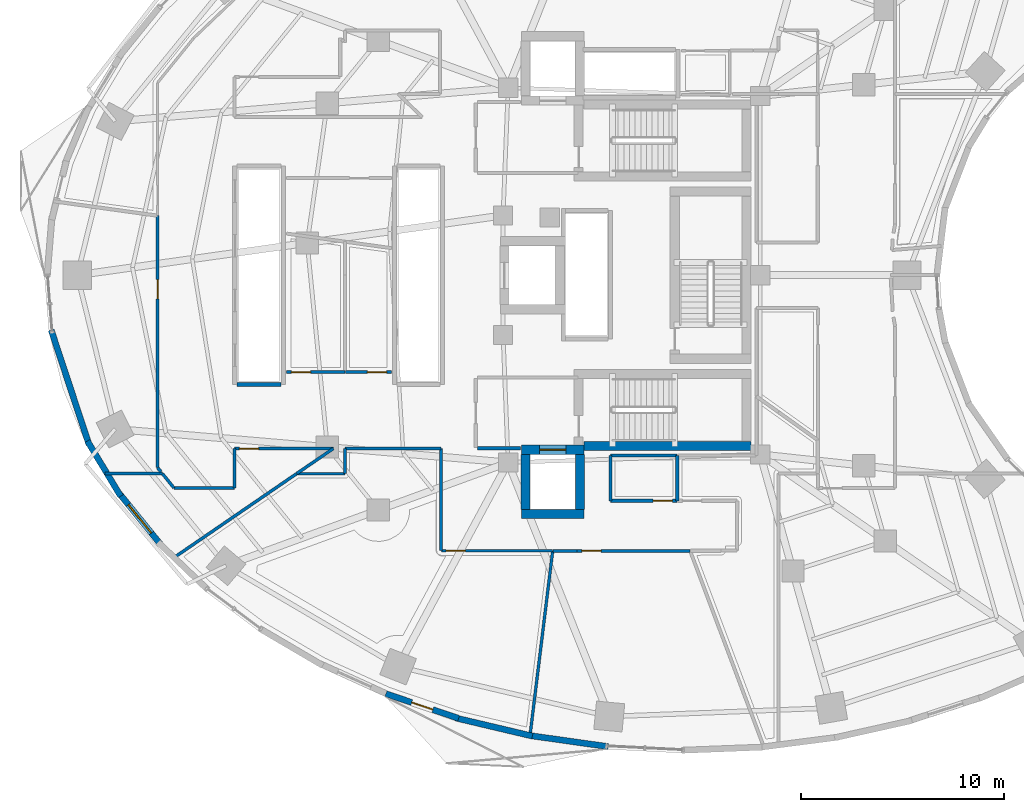
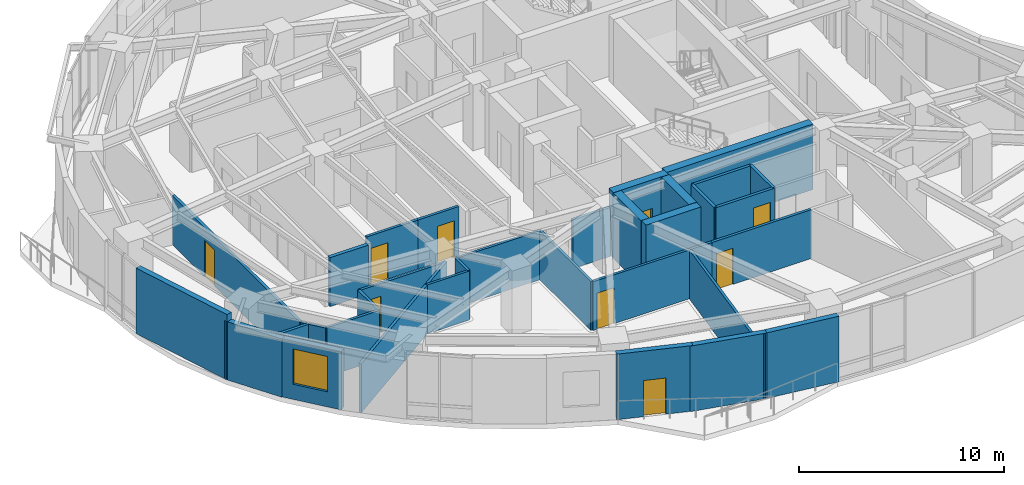
# One storey, part 8 of 16: 36 walls, 9 doors, 1 window, 10 openings.
"""IFC4 building model written with IfcOpenShell, lengths in metres."""

from ifc_helpers import new_model, si_unit, direction, frame, frame_2d, origin, place, context, subcontext, project, spatial, rectangle, extrude, material, layer, layer_set, type_object, element, fill, save


model = new_model("IFC4")

# Units and contexts
model_context = context("Model", 3, precision=1e-05, world=origin(), true_north=direction((0.0, 1.0)))
body_context = subcontext(model_context, "Body", "Model", "MODEL_VIEW")
ifc_project = project(units=[si_unit("LENGTHUNIT", "METRE"), si_unit("AREAUNIT", "SQUARE_METRE"), si_unit("VOLUMEUNIT", "CUBIC_METRE"), si_unit("PLANEANGLEUNIT", "RADIAN"), si_unit("MASSUNIT", "GRAM", prefix="KILO")], contexts=[model_context])

# Site, building, storey
site_placement = place(None, origin())
site = spatial("IfcSite", under=ifc_project, at=site_placement, CompositionType="ELEMENT")
building_placement = place(site_placement, origin())
building = spatial("IfcBuilding", under=site, at=building_placement, Name="Korentha Bioscience Tower", CompositionType="ELEMENT")
storey_placement = place(building_placement, frame((0.0, 0.0, 59.39990234375)))
storey = spatial("IfcBuildingStorey", under=building, at=storey_placement, Name="L13", CompositionType="ELEMENT", Elevation=59.39990234375)

# Wall, opening, door
ifc_material_1 = material(Name="Double-Stud Acoustic Gypsum", Category="gypsum")
ifc_layer_1 = layer(ifc_material_1, 0.14990234375, Name="Double-Stud Acoustic Gypsum")
ifc_layer_set_1 = layer_set([ifc_layer_1], Name="Double-Stud Acoustic Gypsum (IW-L150)")
wall_type_1 = type_object("IfcWallType", Name="Acoustic Laboratory Partition Wall 150", PredefinedType="PARTITIONING", material=ifc_layer_set_1)
wall_1_placement = place(storey_placement, frame((17.048095703125, 22.2099609375, 0.0), z_axis=(0.0, 0.0, 1.0), x_axis=(-1.0, 0.0, 0.0)))
wall_1 = element("IfcWall", 1, at=wall_1_placement, inside=storey, type_object=wall_type_1, Name="L13 Staff Pantry Kitchenette 01 Entrance Wall", PredefinedType="PARTITIONING", context=body_context, shape_type="SweptSolid", body=[
    extrude(rectangle(XDim=2.88818359375, YDim=0.14990234375, at=frame_2d((1.444091796875, 0.0))), origin(), (0.0, 0.0, 1.0), 2.91015625),
])
opening_1_placement = place(wall_1_placement, frame((1.697998046875, 0.0, 0.0)))
opening_1 = element("IfcOpeningElement", 2, at=opening_1_placement, cuts=wall_1, Name="Opening ID-10R", PredefinedType="OPENING", context=body_context, shape_type="SweptSolid", body=[
    extrude(rectangle(XDim=0.949951171875, YDim=2.14990234375, at=frame_2d((0.47509765625, 1.074951171875))), frame((0.0, 0.08984375, 0.0), z_axis=(0.0, -1.0, 0.0), x_axis=(1.0, 0.0, 0.0)), (0.0, 0.0, 1.0), 0.1796875),
])
ifc_material_2 = material(Name="Phenolic Laminate Timber Core", Category="wood")
door_type_1 = type_object("IfcDoorType", Name="Laboratory Single Leaf Door 950x2150 Right", OperationType="SINGLE_SWING_RIGHT", PredefinedType="DOOR", material=ifc_material_2)
door_1_placement = place(opening_1_placement, origin())
door_1 = element("IfcDoor", 3, at=door_1_placement, inside=storey, type_object=door_type_1, Name="L13 Staff Pantry Kitchenette 01 Door", OperationType="SINGLE_SWING_RIGHT", OverallHeight=2.14990234375, OverallWidth=0.949951171875, PredefinedType="DOOR", context=body_context, shape_type="SweptSolid", body=[
    extrude(rectangle(XDim=0.949951171875, YDim=2.14990234375, at=frame_2d((0.47509765625, 1.074951171875))), frame((0.0, 0.02490234375, 0.0), z_axis=(0.0, -1.0, 0.0), x_axis=(1.0, 0.0, 0.0)), (0.0, 0.0, 1.0), 0.050048828125),
])
fill(opening_1, door_1)

wall_2_placement = place(storey_placement, frame((19.340087890625, 22.2099609375, 0.0), z_axis=(0.0, 0.0, 1.0), x_axis=(-1.0, 0.0, 0.0)))
wall_2 = element("IfcWall", 4, at=wall_2_placement, inside=storey, type_object=wall_type_1, Name="L13 Biomechanical Motion Analysis Lab 03 Entrance Wall", PredefinedType="PARTITIONING", context=body_context, shape_type="SweptSolid", body=[
    extrude(rectangle(XDim=2.281982421875, YDim=0.14990234375, at=frame_2d((1.14111328125, 0.0))), origin(), (0.0, 0.0, 1.0), 2.91015625),
])
opening_2_placement = place(wall_2_placement, frame((0.239990234375, 0.0, 0.0)))
opening_2 = element("IfcOpeningElement", 5, at=opening_2_placement, cuts=wall_2, Name="Opening ID-10R", PredefinedType="OPENING", context=body_context, shape_type="SweptSolid", body=[
    extrude(rectangle(XDim=0.949951171875, YDim=2.14990234375, at=frame_2d((0.47509765625, 1.074951171875))), frame((0.0, 0.08984375, 0.0), z_axis=(0.0, -1.0, 0.0), x_axis=(1.0, 0.0, 0.0)), (0.0, 0.0, 1.0), 0.1796875),
])
door_2_placement = place(opening_2_placement, origin())
door_2 = element("IfcDoor", 6, at=door_2_placement, inside=storey, type_object=door_type_1, Name="L13 Biomechanical Motion Analysis Lab 03 Door", OperationType="SINGLE_SWING_RIGHT", OverallHeight=2.14990234375, OverallWidth=0.949951171875, PredefinedType="DOOR", context=body_context, shape_type="SweptSolid", body=[
    extrude(rectangle(XDim=0.949951171875, YDim=2.14990234375, at=frame_2d((0.47509765625, 1.074951171875))), frame((0.0, 0.02490234375, 0.0), z_axis=(0.0, -1.0, 0.0), x_axis=(1.0, 0.0, 0.0)), (0.0, 0.0, 1.0), 0.050048828125),
])
fill(opening_2, door_2)

wall_3_placement = place(storey_placement, frame((11.590087890625, 18.43994140625, 0.0), z_axis=(0.0, 0.0, 1.0), x_axis=(1.0, 0.0, 0.0)))
wall_3 = element("IfcWall", 7, at=wall_3_placement, inside=storey, type_object=wall_type_1, Name="L13 Principal Investigator Office 04 Entrance Wall", PredefinedType="PARTITIONING", context=body_context, shape_type="SweptSolid", body=[
    extrude(rectangle(XDim=4.87841796875, YDim=0.14990234375, at=frame_2d((2.439208984375, 0.0))), origin(), (0.0, 0.0, 1.0), 2.91015625),
])
opening_3_placement = place(wall_3_placement, frame((0.239990234375, 0.0, 0.0)))
opening_3 = element("IfcOpeningElement", 8, at=opening_3_placement, cuts=wall_3, Name="Opening ID-10L", PredefinedType="OPENING", context=body_context, shape_type="SweptSolid", body=[
    extrude(rectangle(XDim=0.949951171875, YDim=2.14990234375, at=frame_2d((0.47509765625, 1.074951171875))), frame((0.0, 0.08984375, 0.0), z_axis=(0.0, -1.0, 0.0), x_axis=(1.0, 0.0, 0.0)), (0.0, 0.0, 1.0), 0.1796875),
])
door_type_2 = type_object("IfcDoorType", Name="Laboratory Single Leaf Door 950x2150 Left", OperationType="SINGLE_SWING_LEFT", PredefinedType="DOOR", material=ifc_material_2)
door_3_placement = place(opening_3_placement, origin())
door_3 = element("IfcDoor", 9, at=door_3_placement, inside=storey, type_object=door_type_2, Name="L13 Principal Investigator Office 04 Door", OperationType="SINGLE_SWING_LEFT", OverallHeight=2.14990234375, OverallWidth=0.949951171875, PredefinedType="DOOR", context=body_context, shape_type="SweptSolid", body=[
    extrude(rectangle(XDim=0.949951171875, YDim=2.14990234375, at=frame_2d((0.47509765625, 1.074951171875))), frame((0.0, 0.02490234375, 0.0), z_axis=(0.0, -1.0, 0.0), x_axis=(1.0, 0.0, 0.0)), (0.0, 0.0, 1.0), 0.050048828125),
])
fill(opening_3, door_3)

wall_4_placement = place(storey_placement, frame((28.5, 13.389892578125, 0.0), z_axis=(0.0, 0.0, 1.0), x_axis=(1.0, 0.0, 0.0)))
wall_4 = element("IfcWall", 10, at=wall_4_placement, inside=storey, type_object=wall_type_1, Name="L13 Peptide Synthesis Wet Lab 06 Entrance Wall", PredefinedType="PARTITIONING", context=body_context, shape_type="SweptSolid", body=[
    extrude(rectangle(XDim=5.587158203125, YDim=0.14990234375, at=frame_2d((2.79345703125, 0.0))), origin(), (0.0, 0.0, 1.0), 2.91015625),
])
opening_4_placement = place(wall_4_placement, frame((0.239990234375, 0.0, 0.0)))
opening_4 = element("IfcOpeningElement", 11, at=opening_4_placement, cuts=wall_4, Name="Opening ID-10L", PredefinedType="OPENING", context=body_context, shape_type="SweptSolid", body=[
    extrude(rectangle(XDim=0.949951171875, YDim=2.14990234375, at=frame_2d((0.47509765625, 1.074951171875))), frame((0.0, 0.08984375, 0.0), z_axis=(0.0, -1.0, 0.0), x_axis=(1.0, 0.0, 0.0)), (0.0, 0.0, 1.0), 0.1796875),
])
door_4_placement = place(opening_4_placement, origin())
door_4 = element("IfcDoor", 12, at=door_4_placement, inside=storey, type_object=door_type_2, Name="L13 Peptide Synthesis Wet Lab 06 Door", OperationType="SINGLE_SWING_LEFT", OverallHeight=2.14990234375, OverallWidth=0.949951171875, PredefinedType="DOOR", context=body_context, shape_type="SweptSolid", body=[
    extrude(rectangle(XDim=0.949951171875, YDim=2.14990234375, at=frame_2d((0.47509765625, 1.074951171875))), frame((0.0, 0.02490234375, 0.0), z_axis=(0.0, -1.0, 0.0), x_axis=(1.0, 0.0, 0.0)), (0.0, 0.0, 1.0), 0.050048828125),
])
fill(opening_4, door_4)

# Walls
wall_5_placement = place(storey_placement, frame((14.654541015625, 17.197998046875, 0.0), z_axis=(0.0, 0.0, 1.0), x_axis=(-0.825109471376, -0.564972884523, 0.0)))
element("IfcWall", 13, at=wall_5_placement, inside=storey, type_object=wall_type_1, Name="L13 Interior Partition 035", PredefinedType="PARTITIONING", context=body_context, shape_type="SweptSolid", body=[
    extrude(rectangle(XDim=7.449951171875, YDim=0.14990234375, at=frame_2d((3.72509765625, 0.0))), origin(), (0.0, 0.0, 1.0), 2.91015625),
])
wall_6_placement = place(storey_placement, frame((8.03369140625, 17.194091796875, 0.0), z_axis=(0.0, 0.0, 1.0), x_axis=(0.629276152603, -0.77718178296, 0.0)))
element("IfcWall", 14, at=wall_6_placement, inside=storey, type_object=wall_type_1, Name="L13 Interior Partition 036", PredefinedType="PARTITIONING", context=body_context, shape_type="SweptSolid", body=[
    extrude(rectangle(XDim=0.9013671875, YDim=0.14990234375, at=frame_2d((0.45068359375, 0.0))), origin(), (0.0, 0.0, 1.0), 2.91015625),
])
wall_7_placement = place(storey_placement, frame((8.608642578125, 16.489990234375, 0.0), z_axis=(0.0, 0.0, 1.0), x_axis=(1.0, 0.0, 0.0)))
element("IfcWall", 15, at=wall_7_placement, inside=storey, type_object=wall_type_1, Name="L13 Interior Partition 037", PredefinedType="PARTITIONING", context=body_context, shape_type="SweptSolid", body=[
    extrude(rectangle(XDim=2.971435546875, YDim=0.14990234375, at=frame_2d((1.48583984375, 0.0))), origin(), (0.0, 0.0, 1.0), 2.91015625),
])
wall_8_placement = place(storey_placement, frame((11.590087890625, 16.5, 0.0), z_axis=(0.0, 0.0, 1.0), x_axis=(0.0, 1.0, 0.0)))
element("IfcWall", 16, at=wall_8_placement, inside=storey, type_object=wall_type_1, Name="L13 Interior Partition 038", PredefinedType="PARTITIONING", context=body_context, shape_type="SweptSolid", body=[
    extrude(rectangle(XDim=1.93994140625, YDim=0.14990234375, at=frame_2d((0.969970703125, 0.0))), origin(), (0.0, 0.0, 1.0), 2.91015625),
])
wall_9_placement = place(storey_placement, frame((16.468505859375, 18.43994140625, 0.0), z_axis=(0.0, 0.0, 1.0), x_axis=(-0.82516512402, -0.564891598539, 0.0)))
element("IfcWall", 17, at=wall_9_placement, inside=storey, type_object=wall_type_1, Name="L13 Interior Partition 039", PredefinedType="PARTITIONING", context=body_context, shape_type="SweptSolid", body=[
    extrude(rectangle(XDim=2.191162109375, YDim=0.14990234375, at=frame_2d((1.095703125, 0.0))), origin(), (0.0, 0.0, 1.0), 2.91015625),
])
wall_10_placement = place(storey_placement, frame((27.310546875, 13.389892578125, 0.0), z_axis=(0.0, 0.0, 1.0), x_axis=(1.0, 0.0, 0.0)))
element("IfcWall", 18, at=wall_10_placement, inside=storey, type_object=wall_type_1, Name="L13 Interior Partition 045", PredefinedType="PARTITIONING", context=body_context, shape_type="SweptSolid", body=[
    extrude(rectangle(XDim=1.189453125, YDim=0.14990234375, at=frame_2d((0.5947265625, 0.0))), origin(), (0.0, 0.0, 1.0), 2.91015625),
])

# Wall, opening, door
ifc_material_3 = material(Name="Insulated Aluminium Honeycomb Panel", Category="aluminium")
ifc_layer_2 = layer(ifc_material_3, 0.139892578125, Name="Insulated Aluminium Honeycomb Panel")
ifc_layer_set_2 = layer_set([ifc_layer_2], Name="Insulated Aluminium Honeycomb Panel (IW-F60)")
wall_type_2 = type_object("IfcWallType", Name="Cleanroom Flush Metal Panel Partition 140", PredefinedType="PARTITIONING", material=ifc_layer_set_2)
wall_11_placement = place(storey_placement, frame((21.800048828125, 13.389892578125, 0.0), z_axis=(0.0, 0.0, 1.0), x_axis=(1.0, 0.0, 0.0)))
wall_11 = element("IfcWall", 19, at=wall_11_placement, inside=storey, type_object=wall_type_2, Name="L13 NMR Spectroscopy Shielded Room 05 Entrance Wall", PredefinedType="PARTITIONING", context=body_context, shape_type="SweptSolid", body=[
    extrude(rectangle(XDim=5.50048828125, YDim=0.139892578125, at=frame_2d((2.750244140625, 0.0))), origin(), (0.0, 0.0, 1.0), 2.91015625),
])
opening_5_placement = place(wall_11_placement, frame((0.239990234375, 0.0, 0.0)))
opening_5 = element("IfcOpeningElement", 20, at=opening_5_placement, cuts=wall_11, Name="Opening ID-10R", PredefinedType="OPENING", context=body_context, shape_type="SweptSolid", body=[
    extrude(rectangle(XDim=0.949951171875, YDim=2.14990234375, at=frame_2d((0.47509765625, 1.074951171875))), frame((0.0, 0.0849609375, 0.0), z_axis=(0.0, -1.0, 0.0), x_axis=(1.0, 0.0, 0.0)), (0.0, 0.0, 1.0), 0.169677734375),
])
door_5_placement = place(opening_5_placement, origin())
door_5 = element("IfcDoor", 21, at=door_5_placement, inside=storey, type_object=door_type_1, Name="L13 NMR Spectroscopy Shielded Room 05 Door", OperationType="SINGLE_SWING_RIGHT", OverallHeight=2.14990234375, OverallWidth=0.949951171875, PredefinedType="DOOR", context=body_context, shape_type="SweptSolid", body=[
    extrude(rectangle(XDim=0.949951171875, YDim=2.14990234375, at=frame_2d((0.47509765625, 1.074951171875))), frame((0.0, 0.02490234375, 0.0), z_axis=(0.0, -1.0, 0.0), x_axis=(1.0, 0.0, 0.0)), (0.0, 0.0, 1.0), 0.050048828125),
])
fill(opening_5, door_5)

# Walls
wall_12_placement = place(storey_placement, frame((17.052001953125, 17.2021484375, 0.0), z_axis=(0.0, 0.0, 1.0), x_axis=(0.0, 1.0, 0.0)))
element("IfcWall", 22, at=wall_12_placement, inside=storey, type_object=wall_type_2, Name="L13 Interior Partition 040", PredefinedType="PARTITIONING", context=body_context, shape_type="SweptSolid", body=[
    extrude(rectangle(XDim=1.23779296875, YDim=0.139892578125, at=frame_2d((0.618896484375, 0.0))), origin(), (0.0, 0.0, 1.0), 2.91015625),
])
wall_13_placement = place(storey_placement, frame((17.052001953125, 18.43994140625, 0.0), z_axis=(0.0, 0.0, 1.0), x_axis=(1.0, 0.0, 0.0)))
element("IfcWall", 23, at=wall_13_placement, inside=storey, type_object=wall_type_2, Name="L13 Interior Partition 041", PredefinedType="PARTITIONING", context=body_context, shape_type="SweptSolid", body=[
    extrude(rectangle(XDim=4.738037109375, YDim=0.139892578125, at=frame_2d((2.369140625, 0.0))), origin(), (0.0, 0.0, 1.0), 2.91015625),
])
wall_14_placement = place(storey_placement, frame((21.7900390625, 18.43994140625, 0.0), z_axis=(0.0, 0.0, 1.0), x_axis=(0.0, -1.0, 0.0)))
element("IfcWall", 24, at=wall_14_placement, inside=storey, type_object=wall_type_2, Name="L13 Interior Partition 042", PredefinedType="PARTITIONING", context=body_context, shape_type="SweptSolid", body=[
    extrude(rectangle(XDim=5.0400390625, YDim=0.139892578125, at=frame_2d((2.52001953125, 0.0))), origin(), (0.0, 0.0, 1.0), 2.91015625),
])
wall_15_placement = place(storey_placement, frame((27.300537109375, 13.389892578125, 0.0), z_axis=(0.0, 0.0, 1.0), x_axis=(-0.121878156066, -0.992545069543, 0.0)))
element("IfcWall", 25, at=wall_15_placement, inside=storey, type_object=wall_type_2, Name="L13 Interior Partition 043", PredefinedType="PARTITIONING", context=body_context, shape_type="SweptSolid", body=[
    extrude(rectangle(XDim=9.30859375, YDim=0.139892578125, at=frame_2d((4.654296875, 0.0))), origin(), (0.0, 0.0, 1.0), 2.91015625),
])
wall_16_placement = place(storey_placement, frame((14.67236328125, 17.197998046875, 0.0), z_axis=(0.0, 0.0, 1.0), x_axis=(1.0, 0.0, 0.0)))
element("IfcWall", 26, at=wall_16_placement, inside=storey, type_object=wall_type_2, Name="L13 Interior Partition 044", PredefinedType="PARTITIONING", context=body_context, shape_type="SweptSolid", body=[
    extrude(rectangle(XDim=2.375732421875, YDim=0.139892578125, at=frame_2d((1.18798828125, 0.0))), origin(), (0.0, 0.0, 1.0), 2.91015625),
])
ifc_material_4 = material(Name="Gypsum-Clad Steel Stud", Category="steel")
ifc_layer_3 = layer(ifc_material_4, 0.159912109375, Name="Gypsum-Clad Steel Stud")
ifc_layer_set_3 = layer_set([ifc_layer_3], Name="Gypsum-Clad Steel Stud (IW-C160)")
wall_type_3 = type_object("IfcWallType", Name="Fire-Rated Corridor Partition Wall 160", PredefinedType="PARTITIONING", material=ifc_layer_set_3)
wall_17_placement = place(storey_placement, frame((23.580078125, 18.449951171875, 0.0), z_axis=(0.0, 0.0, 1.0), x_axis=(1.0, 0.0, 0.0)))
element("IfcWall", 27, at=wall_17_placement, inside=storey, type_object=wall_type_3, Name="L13 Firefighting Lobby Return Wall FFLS-S", PredefinedType="PARTITIONING", context=body_context, shape_type="SweptSolid", body=[
    extrude(rectangle(XDim=2.119873046875, YDim=0.159912109375, at=frame_2d((1.06005859375, 0.0))), origin(), (0.0, 0.0, 1.0), 2.91015625),
])

# Wall, opening, door
wall_18_placement = place(storey_placement, frame((33.449951171875, 15.860107421875, 0.0), z_axis=(0.0, 0.0, 1.0), x_axis=(-1.0, 0.0, 0.0)))
wall_18 = element("IfcWall", 28, at=wall_18_placement, inside=storey, type_object=wall_type_3, Name="L13 Core Instrumentation and Gas Store Entrance Wall", PredefinedType="PARTITIONING", context=body_context, shape_type="SweptSolid", body=[
    extrude(rectangle(XDim=3.300048828125, YDim=0.159912109375, at=frame_2d((1.64990234375, 0.0))), origin(), (0.0, 0.0, 1.0), 2.91015625),
])
opening_6_placement = place(wall_18_placement, frame((0.239990234375, 0.0, 0.0)))
opening_6 = element("IfcOpeningElement", 29, at=opening_6_placement, cuts=wall_18, Name="Opening ID-10R", PredefinedType="OPENING", context=body_context, shape_type="SweptSolid", body=[
    extrude(rectangle(XDim=0.949951171875, YDim=2.14990234375, at=frame_2d((0.47509765625, 1.074951171875))), frame((0.0, 0.0947265625, 0.0), z_axis=(0.0, -1.0, 0.0), x_axis=(1.0, 0.0, 0.0)), (0.0, 0.0, 1.0), 0.189697265625),
])
door_6_placement = place(opening_6_placement, origin())
door_6 = element("IfcDoor", 30, at=door_6_placement, inside=storey, type_object=door_type_1, Name="L13 Core Instrumentation and Gas Store Door", OperationType="SINGLE_SWING_RIGHT", OverallHeight=2.14990234375, OverallWidth=0.949951171875, PredefinedType="DOOR", context=body_context, shape_type="SweptSolid", body=[
    extrude(rectangle(XDim=0.949951171875, YDim=2.14990234375, at=frame_2d((0.47509765625, 1.074951171875))), frame((0.0, 0.02490234375, 0.0), z_axis=(0.0, -1.0, 0.0), x_axis=(1.0, 0.0, 0.0)), (0.0, 0.0, 1.0), 0.050048828125),
])
fill(opening_6, door_6)

wall_19_placement = place(storey_placement, frame((7.7900390625, 29.9375, 0.0), z_axis=(0.0, 0.0, 1.0), x_axis=(0.0, -1.0, 0.0)))
wall_19 = element("IfcWall", 31, at=wall_19_placement, inside=storey, type_object=wall_type_3, Name="L13 Biospecimen Archive Store 02 Entrance Wall", PredefinedType="PARTITIONING", context=body_context, shape_type="SweptSolid", body=[
    extrude(rectangle(XDim=12.438720703125, YDim=0.159912109375, at=frame_2d((6.21923828125, 0.0))), origin(), (0.0, 0.0, 1.0), 2.91015625),
])
opening_7_placement = place(wall_19_placement, frame((3.159423828125, 0.0, 0.0)))
opening_7 = element("IfcOpeningElement", 32, at=opening_7_placement, cuts=wall_19, Name="Opening ID-10L", PredefinedType="OPENING", context=body_context, shape_type="SweptSolid", body=[
    extrude(rectangle(XDim=0.949951171875, YDim=2.14990234375, at=frame_2d((0.47509765625, 1.074951171875))), frame((0.0, 0.0947265625, 0.0), z_axis=(0.0, -1.0, 0.0), x_axis=(1.0, 0.0, 0.0)), (0.0, 0.0, 1.0), 0.189697265625),
])
door_7_placement = place(opening_7_placement, origin())
door_7 = element("IfcDoor", 33, at=door_7_placement, inside=storey, type_object=door_type_2, Name="L13 Biospecimen Archive Store 02 Door", OperationType="SINGLE_SWING_LEFT", OverallHeight=2.14990234375, OverallWidth=0.949951171875, PredefinedType="DOOR", context=body_context, shape_type="SweptSolid", body=[
    extrude(rectangle(XDim=0.949951171875, YDim=2.14990234375, at=frame_2d((0.47509765625, 1.074951171875))), frame((0.0, 0.02490234375, 0.0), z_axis=(0.0, -1.0, 0.0), x_axis=(1.0, 0.0, 0.0)), (0.0, 0.0, 1.0), 0.050048828125),
])
fill(opening_7, door_7)

# Walls
wall_20_placement = place(storey_placement, frame((30.14990234375, 15.860107421875, 0.0), z_axis=(0.0, 0.0, 1.0), x_axis=(0.0, 1.0, 0.0)))
element("IfcWall", 34, at=wall_20_placement, inside=storey, type_object=wall_type_3, Name="L13 Interior Partition 023", PredefinedType="PARTITIONING", context=body_context, shape_type="SweptSolid", body=[
    extrude(rectangle(XDim=2.22998046875, YDim=0.159912109375, at=frame_2d((1.114990234375, 0.0))), origin(), (0.0, 0.0, 1.0), 2.91015625),
])
wall_21_placement = place(storey_placement, frame((30.14990234375, 18.090087890625, 0.0), z_axis=(0.0, 0.0, 1.0), x_axis=(1.0, 0.0, 0.0)))
element("IfcWall", 35, at=wall_21_placement, inside=storey, type_object=wall_type_3, Name="L13 Interior Partition 024", PredefinedType="PARTITIONING", context=body_context, shape_type="SweptSolid", body=[
    extrude(rectangle(XDim=3.300048828125, YDim=0.159912109375, at=frame_2d((1.64990234375, 0.0))), origin(), (0.0, 0.0, 1.0), 2.91015625),
])
wall_22_placement = place(storey_placement, frame((33.449951171875, 18.090087890625, 0.0), z_axis=(0.0, 0.0, 1.0), x_axis=(0.0, -1.0, 0.0)))
element("IfcWall", 36, at=wall_22_placement, inside=storey, type_object=wall_type_3, Name="L13 Interior Partition 025", PredefinedType="PARTITIONING", context=body_context, shape_type="SweptSolid", body=[
    extrude(rectangle(XDim=2.22998046875, YDim=0.159912109375, at=frame_2d((1.114990234375, 0.0))), origin(), (0.0, 0.0, 1.0), 2.91015625),
])
wall_23_placement = place(storey_placement, frame((7.792236328125, 17.492431640625, 0.0), z_axis=(0.0, 0.0, 1.0), x_axis=(0.629145614699, -0.77728746002, 0.0)))
element("IfcWall", 37, at=wall_23_placement, inside=storey, type_object=wall_type_3, Name="L13 Interior Partition 032", PredefinedType="PARTITIONING", context=body_context, shape_type="SweptSolid", body=[
    extrude(rectangle(XDim=0.26708984375, YDim=0.159912109375, at=frame_2d((0.133544921875, 0.0))), origin(), (0.0, 0.0, 1.0), 2.91015625),
])
wall_24_placement = place(storey_placement, frame((8.02734375, 17.201904296875, 0.0), z_axis=(0.0, 0.0, 1.0), x_axis=(-1.0, 0.0, 0.0)))
element("IfcWall", 38, at=wall_24_placement, inside=storey, type_object=wall_type_3, Name="L13 Interior Partition 033", PredefinedType="PARTITIONING", context=body_context, shape_type="SweptSolid", body=[
    extrude(rectangle(XDim=2.82666015625, YDim=0.159912109375, at=frame_2d((1.413330078125, 0.0))), origin(), (0.0, 0.0, 1.0), 2.91015625),
])

# Wall, opening, window
ifc_material_5 = material(Name="Honed Limestone Precast Concrete C40", Category="masonry")
ifc_layer_4 = layer(ifc_material_5, 0.300048828125, Name="Honed Limestone Precast Concrete C40")
ifc_layer_set_4 = layer_set([ifc_layer_4], Name="Honed Limestone Precast Concrete C40 (EW-ST300)")
wall_type_4 = type_object("IfcWallType", Name="Honed Limestone Cavity Spandrel Wall 300", PredefinedType="STANDARD", material=ifc_layer_set_4)
wall_25_placement = place(storey_placement, frame((5.893798828125, 16.229736328125, 0.0), z_axis=(0.0, 0.0, 1.0), x_axis=(0.629295540187, -0.777166084631, 0.0)))
wall_25 = element("IfcWall", 39, at=wall_25_placement, inside=storey, type_object=wall_type_4, Name="L13 Honed Limestone Spandrel Wall 23", PredefinedType="STANDARD", context=body_context, shape_type="SweptSolid", body=[
    extrude(rectangle(XDim=3.24755859375, YDim=0.300048828125, at=frame_2d((1.623779296875, 0.0))), origin(), (0.0, 0.0, 1.0), 3.47021484375),
])
opening_8_placement = place(wall_25_placement, frame((0.723876953125, 0.0, 0.89990234375)))
opening_8 = element("IfcOpeningElement", 40, at=opening_8_placement, cuts=wall_25, Name="Opening WN-01", PredefinedType="OPENING", context=body_context, shape_type="SweptSolid", body=[
    extrude(rectangle(XDim=1.800048828125, YDim=2.10009765625, at=frame_2d((0.89990234375, 1.050048828125))), frame((0.0, 0.1650390625, 0.0), z_axis=(0.0, -1.0, 0.0), x_axis=(1.0, 0.0, 0.0)), (0.0, 0.0, 1.0), 0.329833984375),
])
ifc_material_6 = material(Name="Thermally Broken Aluminium Triple Glazing", Category="aluminium")
window_type = type_object("IfcWindowType", Name="Triple-Glazed Fixed Bioscience Window 1800x2100", PartitioningType="SINGLE_PANEL", PredefinedType="WINDOW", material=ifc_material_6)
window_placement = place(opening_8_placement, origin())
window = element("IfcWindow", 41, at=window_placement, inside=storey, type_object=window_type, Name="L13 Facade Window 23", OverallHeight=2.10009765625, OverallWidth=1.800048828125, PartitioningType="SINGLE_PANEL", PredefinedType="WINDOW", context=body_context, shape_type="SweptSolid", body=[
    extrude(rectangle(XDim=1.800048828125, YDim=2.10009765625, at=frame_2d((0.89990234375, 1.050048828125))), frame((0.0, 0.030029296875, 0.0), z_axis=(0.0, -1.0, 0.0), x_axis=(1.0, 0.0, 0.0)), (0.0, 0.0, 1.0), 0.06005859375),
])
fill(opening_8, window)

# Wall, opening, door
wall_26_placement = place(storey_placement, frame((19.0654296875, 6.333251953125, 0.0), z_axis=(0.0, 0.0, 1.0), x_axis=(0.947034337234, -0.321132315564, 0.0)))
wall_26 = element("IfcWall", 42, at=wall_26_placement, inside=storey, type_object=wall_type_4, Name="L13 Balcony Threshold Wall 03", PredefinedType="STANDARD", context=body_context, shape_type="SweptSolid", body=[
    extrude(rectangle(XDim=3.789794921875, YDim=0.300048828125, at=frame_2d((1.89501953125, 0.0))), origin(), (0.0, 0.0, 1.0), 3.900146484375),
])
opening_9_placement = place(wall_26_placement, frame((1.344970703125, 0.0, 0.0)))
opening_9 = element("IfcOpeningElement", 43, at=opening_9_placement, cuts=wall_26, Name="Opening BD-11L", PredefinedType="OPENING", context=body_context, shape_type="SweptSolid", body=[
    extrude(rectangle(XDim=1.10009765625, YDim=2.14990234375, at=frame_2d((0.550048828125, 1.074951171875))), frame((0.0, 0.1650390625, 0.0), z_axis=(0.0, -1.0, 0.0), x_axis=(1.0, 0.0, 0.0)), (0.0, 0.0, 1.0), 0.329833984375),
])
ifc_material_7 = material(Name="Thermally Broken Glazed Aluminium", Category="aluminium")
door_type_3 = type_object("IfcDoorType", Name="Balcony Terrace Glazed Door 1100x2150 Left", OperationType="SINGLE_SWING_LEFT", PredefinedType="DOOR", material=ifc_material_7)
door_8_placement = place(opening_9_placement, origin())
door_8 = element("IfcDoor", 44, at=door_8_placement, inside=storey, type_object=door_type_3, Name="L13 Balcony Access Door 03", OperationType="SINGLE_SWING_LEFT", OverallHeight=2.14990234375, OverallWidth=1.10009765625, PredefinedType="DOOR", context=body_context, shape_type="SweptSolid", body=[
    extrude(rectangle(XDim=1.10009765625, YDim=2.14990234375, at=frame_2d((0.550048828125, 1.074951171875))), frame((0.0, 0.02490234375, 0.0), z_axis=(0.0, -1.0, 0.0), x_axis=(1.0, 0.0, 0.0)), (0.0, 0.0, 1.0), 0.050048828125),
])
fill(opening_9, door_8)

# Walls
wall_27_placement = place(storey_placement, frame((2.537353515625, 24.289306640625, 0.0), z_axis=(0.0, 0.0, 1.0), x_axis=(0.31372816724, -0.949512841978, 0.0)))
element("IfcWall", 45, at=wall_27_placement, inside=storey, type_object=wall_type_4, Name="L13 Limestone Perimeter Closure Wall 20", PredefinedType="STANDARD", context=body_context, shape_type="SweptSolid", body=[
    extrude(rectangle(XDim=5.950927734375, YDim=0.300048828125, at=frame_2d((2.9755859375, 0.0))), origin(), (0.0, 0.0, 1.0), 3.900146484375),
])
wall_28_placement = place(storey_placement, frame((4.324951171875, 18.8115234375, 0.0), z_axis=(0.0, 0.0, 1.0), x_axis=(0.516423528484, -0.856333310825, 0.0)))
element("IfcWall", 46, at=wall_28_placement, inside=storey, type_object=wall_type_4, Name="L13 Limestone Perimeter Closure Wall 22", PredefinedType="STANDARD", context=body_context, shape_type="SweptSolid", body=[
    extrude(rectangle(XDim=3.1826171875, YDim=0.300048828125, at=frame_2d((1.59130859375, 0.0))), origin(), (0.0, 0.0, 1.0), 3.47021484375),
])
wall_29_placement = place(storey_placement, frame((22.50048828125, 5.138427734375, 0.0), z_axis=(0.0, 0.0, 1.0), x_axis=(0.973197600754, -0.229970497863, 0.0)))
element("IfcWall", 47, at=wall_29_placement, inside=storey, type_object=wall_type_4, Name="L13 Limestone Perimeter Closure Wall 29", PredefinedType="STANDARD", context=body_context, shape_type="SweptSolid", body=[
    extrude(rectangle(XDim=3.9013671875, YDim=0.300048828125, at=frame_2d((1.95068359375, 0.0))), origin(), (0.0, 0.0, 1.0), 3.900146484375),
])
wall_30_placement = place(storey_placement, frame((26.127685546875, 4.273193359375, 0.0), z_axis=(0.0, 0.0, 1.0), x_axis=(0.990165832998, -0.139898617443, 0.0)))
element("IfcWall", 48, at=wall_30_placement, inside=storey, type_object=wall_type_4, Name="L13 Limestone Perimeter Closure Wall 30", PredefinedType="STANDARD", context=body_context, shape_type="SweptSolid", body=[
    extrude(rectangle(XDim=3.950927734375, YDim=0.300048828125, at=frame_2d((1.9755859375, 0.0))), origin(), (0.0, 0.0, 1.0), 3.900146484375),
])
ifc_material_8 = material(Name="Autoclaved Aerated Concrete Block C25", Category="concrete")
ifc_layer_5 = layer(ifc_material_8, 0.199951171875, Name="Autoclaved Aerated Concrete Block C25")
ifc_layer_set_5 = layer_set([ifc_layer_5], Name="Autoclaved Aerated Concrete Block C25 (IW-S200)")
wall_type_5 = type_object("IfcWallType", Name="Lift and Riser Shaft Enclosure Wall 200", PredefinedType="PARTITIONING", material=ifc_layer_set_5)
wall_31_placement = place(storey_placement, frame((11.719970703125, 21.60009765625, 0.0), z_axis=(0.0, 0.0, 1.0), x_axis=(1.0, 0.0, 0.0)))
element("IfcWall", 49, at=wall_31_placement, inside=storey, type_object=wall_type_5, Name="L13 Lift Bank LOW Shaft Wall -Y", PredefinedType="PARTITIONING", context=body_context, shape_type="SweptSolid", body=[
    extrude(rectangle(XDim=2.159912109375, YDim=0.199951171875, at=frame_2d((1.080078125, 0.0))), origin(), (0.0, 0.0, 1.0), 2.91015625),
])
ifc_material_9 = material(Name="Concrete C80", Category="concrete")
ifc_layer_6 = layer(ifc_material_9, 0.449951171875, Name="Concrete C80")
ifc_layer_set_6 = layer_set([ifc_layer_6], Name="Concrete C80 (CW-C80)")
wall_type_6 = type_object("IfcWallType", Name="Lower Core Shear Wall 450", PredefinedType="SHEAR", material=ifc_layer_set_6)
wall_32_placement = place(storey_placement, frame((28.85205078125, 18.574951171875, 0.0), z_axis=(0.0, 0.0, 1.0), x_axis=(1.0, 0.0, 0.0)))
element("IfcWall", 50, at=wall_32_placement, inside=storey, type_object=wall_type_6, Name="L13 Core Shear Wall ST2-S", PredefinedType="SHEAR", context=body_context, shape_type="SweptSolid", body=[
    extrude(rectangle(XDim=8.248046875, YDim=0.449951171875, at=frame_2d((4.1240234375, 0.0))), origin(), (0.0, 0.0, 1.0), 3.900146484375),
])
wall_33_placement = place(storey_placement, frame((25.75, 15.199951171875, 0.0), z_axis=(0.0, 0.0, 1.0), x_axis=(1.0, 0.0, 0.0)))
element("IfcWall", 51, at=wall_33_placement, inside=storey, type_object=wall_type_6, Name="L13 Core Shear Wall FFL1-S", PredefinedType="SHEAR", context=body_context, shape_type="SweptSolid", body=[
    extrude(rectangle(XDim=3.10009765625, YDim=0.449951171875, at=frame_2d((1.550048828125, 0.0))), origin(), (0.0, 0.0, 1.0), 3.900146484375),
])

# Wall, opening, door
wall_34_placement = place(storey_placement, frame((25.75, 18.3798828125, 0.0), z_axis=(0.0, 0.0, 1.0), x_axis=(1.0, 0.0, 0.0)))
wall_34 = element("IfcWall", 52, at=wall_34_placement, inside=storey, type_object=wall_type_6, Name="L13 Core Shear Wall FFL1-N", PredefinedType="SHEAR", context=body_context, shape_type="SweptSolid", body=[
    extrude(rectangle(XDim=3.10009765625, YDim=0.449951171875, at=frame_2d((1.550048828125, 0.0))), origin(), (0.0, 0.0, 1.0), 3.900146484375),
])
opening_10_placement = place(wall_34_placement, frame((0.89990234375, 0.0, 0.0)))
opening_10 = element("IfcOpeningElement", 53, at=opening_10_placement, cuts=wall_34, Name="Opening LD-13", PredefinedType="OPENING", context=body_context, shape_type="SweptSolid", body=[
    extrude(rectangle(XDim=1.300048828125, YDim=2.199951171875, at=frame_2d((0.64990234375, 1.10009765625))), frame((0.0, 0.23974609375, 0.0), z_axis=(0.0, -1.0, 0.0), x_axis=(1.0, 0.0, 0.0)), (0.0, 0.0, 1.0), 0.479736328125),
])
ifc_material_10 = material(Name="Brushed Stainless Steel 316", Category="steel")
door_type_4 = type_object("IfcDoorType", Name="Service & Firefighting Lift Landing Door 1300x2300", OperationType="DOUBLE_DOOR_SLIDING", PredefinedType="DOOR", material=ifc_material_10)
door_9_placement = place(opening_10_placement, origin())
door_9 = element("IfcDoor", 54, at=door_9_placement, inside=storey, type_object=door_type_4, Name="L13 FFL-1 Sliding Lift Landing Door", OperationType="DOUBLE_DOOR_SLIDING", OverallHeight=2.199951171875, OverallWidth=1.300048828125, PredefinedType="DOOR", context=body_context, shape_type="SweptSolid", body=[
    extrude(rectangle(XDim=1.300048828125, YDim=2.199951171875, at=frame_2d((0.64990234375, 1.10009765625))), frame((0.0, 0.02490234375, 0.0), z_axis=(0.0, -1.0, 0.0), x_axis=(1.0, 0.0, 0.0)), (0.0, 0.0, 1.0), 0.050048828125),
])
fill(opening_10, door_9)

# Walls
for number, where, z_axis, x_axis, name in (
    (55, (25.949951171875, 15.43994140625, 0.0), (0.0, 0.0, 1.0), (0.0, 1.0, 0.0), "L13 Core Shear Wall FFL1-W"),
    (56, (28.64990234375, 15.43994140625, 0.0), (0.0, 0.0, 1.0), (0.0, 1.0, 0.0), "L13 Core Shear Wall FFL1-E"),
):
    element("IfcWall", number, at=place(storey_placement, frame(where, z_axis=z_axis, x_axis=x_axis)), inside=storey, type_object=wall_type_6, Name=name, PredefinedType="SHEAR", context=body_context, shape_type="SweptSolid", body=[
        extrude(rectangle(XDim=2.699951171875, YDim=0.449951171875, at=frame_2d((1.35009765625, 0.0))), origin(), (0.0, 0.0, 1.0), 3.900146484375),
    ])

save(model, "model.ifc")
